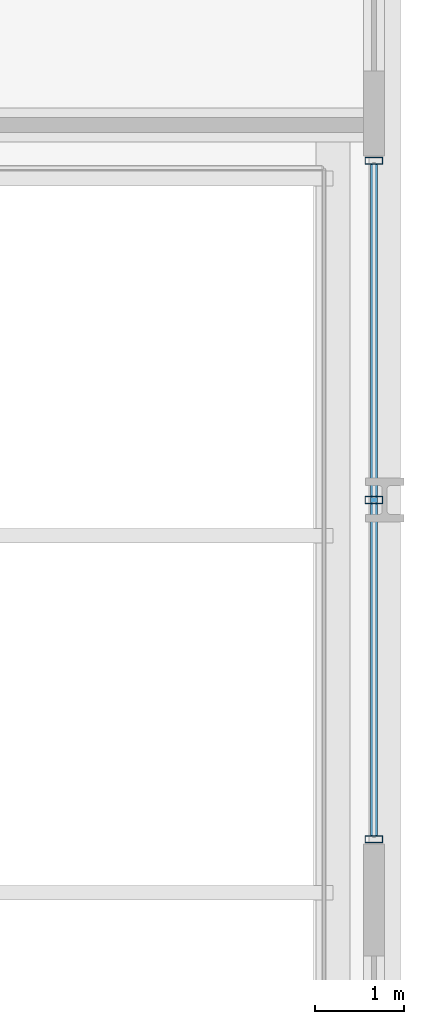
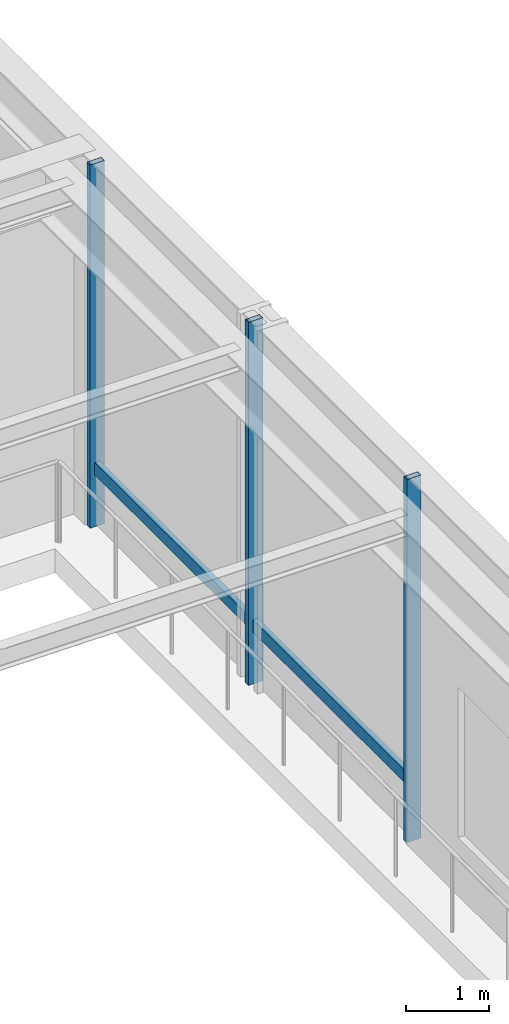
# One storey, part 9 of 19: 4 members, 1 element without a shape of its own.
"""IFC4 building model written with IfcOpenShell, lengths in metres."""

from ifc_helpers import new_model, si_unit, direction, frame, origin, origin_2d, place, context, subcontext, project, spatial, hollow_rectangle, extrude, material, layer, layer_set, material_profile, profile_set, type_object, element, aggregate, save


model = new_model("IFC4")

# Units and contexts
model_context = context("Model", 3, precision=1e-05, world=origin(), true_north=direction((0.0, 1.0)))
body_context = subcontext(model_context, "Body", "Model", "MODEL_VIEW")
ifc_project = project(units=[si_unit("LENGTHUNIT", "METRE"), si_unit("AREAUNIT", "SQUARE_METRE"), si_unit("VOLUMEUNIT", "CUBIC_METRE"), si_unit("PLANEANGLEUNIT", "RADIAN"), si_unit("MASSUNIT", "GRAM", prefix="KILO")], contexts=[model_context])

# Site, building, storey
site_placement = place(None, origin())
site = spatial("IfcSite", under=ifc_project, at=site_placement, CompositionType="ELEMENT")
building_placement = place(site_placement, origin())
building = spatial("IfcBuilding", under=site, at=building_placement, Name="Drelvath Grand Hotel", CompositionType="ELEMENT")
storey_placement = place(building_placement, frame((0.0, 0.0, 27.60009765625)))
storey = spatial("IfcBuildingStorey", under=building, at=storey_placement, Name="L05", CompositionType="ELEMENT", Elevation=27.60009765625)

# Curtain wall, members
ifc_material = material(Name="Dark Bronze Anodised Aluminium Frame", Category="aluminium")
ifc_layer = layer(ifc_material, 0.199951171875)
ifc_layer_set = layer_set([ifc_layer], Name="Dark Bronze Anodised Aluminium Frame")
curtain_wall_type = type_object("IfcCurtainWallType", Name="Stick Curtain Wall CW-01 Dark Bronze Podium", PredefinedType="NOTDEFINED", material=ifc_layer_set)
curtain_wall_placement = place(storey_placement, origin())
curtain_wall = element("IfcCurtainWall", 1, at=curtain_wall_placement, inside=storey, type_object=curtain_wall_type, Name="L05 CW-01 Curtain Wall CW01-L05-EA2", PredefinedType="NOTDEFINED")
ifc_material_profile_1 = material_profile(ifc_material, hollow_rectangle(XDim=0.074951171875, YDim=0.179931640625, WallThickness=0.0048828125, at=origin_2d()), Name="HSS180X75X5")
ifc_profile_set_1 = profile_set([ifc_material_profile_1], Name="Dark Bronze Anodised Aluminium Frame")
member_type_1 = type_object("IfcMemberType", Name="Curtain Wall Horizontal Transom CW-01 HSS180X75X5", PredefinedType="USERDEFINED", material=ifc_profile_set_1)
member_1_placement = place(storey_placement, frame((38.8798828125, 39.159912109375, 0.849853515625), z_axis=(0.0, -1.0, 0.0), x_axis=(1.0, 0.0, 0.0)))
member_1 = element("IfcMember", 2, at=member_1_placement, type_object=member_type_1, Name="CW01-L05-EA2 Sill Transom", ObjectType="TRANSOM", PredefinedType="USERDEFINED", context=body_context, shape_type="SweptSolid", body=[
    extrude(hollow_rectangle(XDim=0.074951171875, YDim=0.179931640625, WallThickness=0.0048828125, at=origin_2d()), origin(), (0.0, 0.0, 1.0), 7.52001953125),
])
ifc_material_profile_2 = material_profile(ifc_material, hollow_rectangle(XDim=0.080078125, YDim=0.199951171875, WallThickness=0.0048828125, at=origin_2d()), Name="HSS200X80X5")
ifc_profile_set_2 = profile_set([ifc_material_profile_2], Name="Dark Bronze Anodised Aluminium Frame")
member_type_2 = type_object("IfcMemberType", Name="Curtain Wall Vertical Mullion CW-01 HSS200X80X5", PredefinedType="MULLION", material=ifc_profile_set_2)
member_2_placement = place(storey_placement, frame((38.8798828125, 39.199951171875, 0.0), z_axis=(0.0, 0.0, 1.0), x_axis=(0.0, 1.0, 0.0)))
member_2 = element("IfcMember", 3, at=member_2_placement, type_object=member_type_2, Name="CW01-L05-EA2 Mullion 1", PredefinedType="MULLION", context=body_context, shape_type="SweptSolid", body=[
    extrude(hollow_rectangle(XDim=0.080078125, YDim=0.199951171875, WallThickness=0.0048828125, at=origin_2d()), origin(), (0.0, 0.0, 1.0), 5.31982421875),
])
member_3_placement = place(storey_placement, frame((38.8798828125, 35.39990234375, 0.0), z_axis=(0.0, 0.0, 1.0), x_axis=(0.0, 1.0, 0.0)))
member_3 = element("IfcMember", 4, at=member_3_placement, type_object=member_type_2, Name="CW01-L05-EA2 Mullion 2", PredefinedType="MULLION", context=body_context, shape_type="SweptSolid", body=[
    extrude(hollow_rectangle(XDim=0.080078125, YDim=0.199951171875, WallThickness=0.0048828125, at=origin_2d()), origin(), (0.0, 0.0, 1.0), 5.31982421875),
])
member_4_placement = place(storey_placement, frame((38.8798828125, 31.60009765625, 0.0), z_axis=(0.0, 0.0, 1.0), x_axis=(0.0, 1.0, 0.0)))
member_4 = element("IfcMember", 5, at=member_4_placement, type_object=member_type_2, Name="CW01-L05-EA2 Mullion 3", PredefinedType="MULLION", context=body_context, shape_type="SweptSolid", body=[
    extrude(hollow_rectangle(XDim=0.080078125, YDim=0.199951171875, WallThickness=0.0048828125, at=origin_2d()), origin(), (0.0, 0.0, 1.0), 5.31982421875),
])
aggregate(curtain_wall, [member_2, member_3, member_4, member_1])

save(model, "model.ifc")
